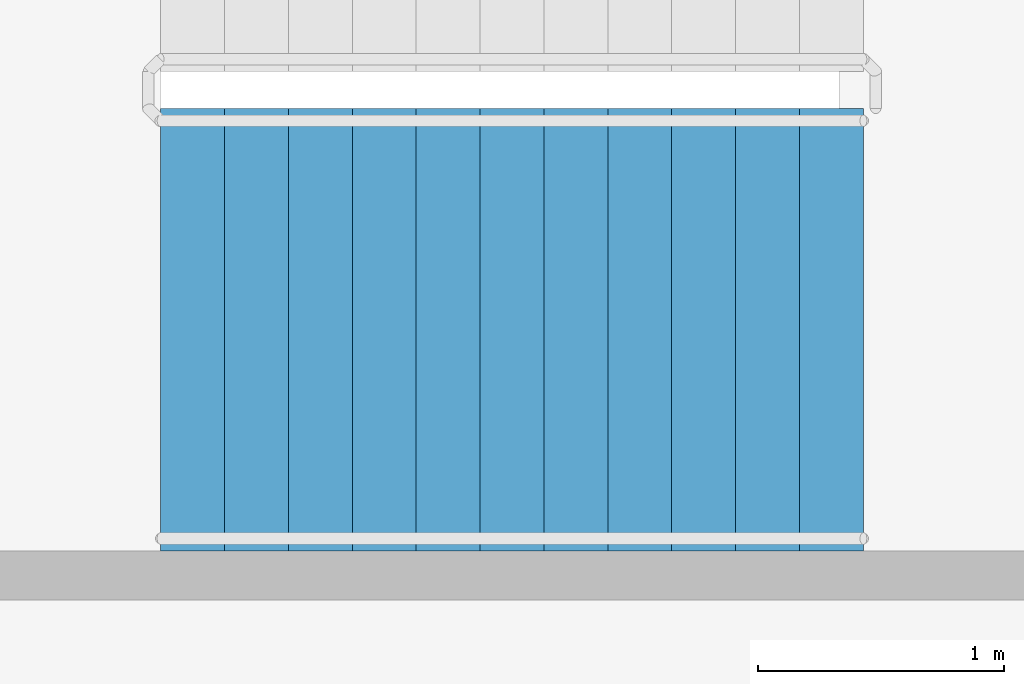
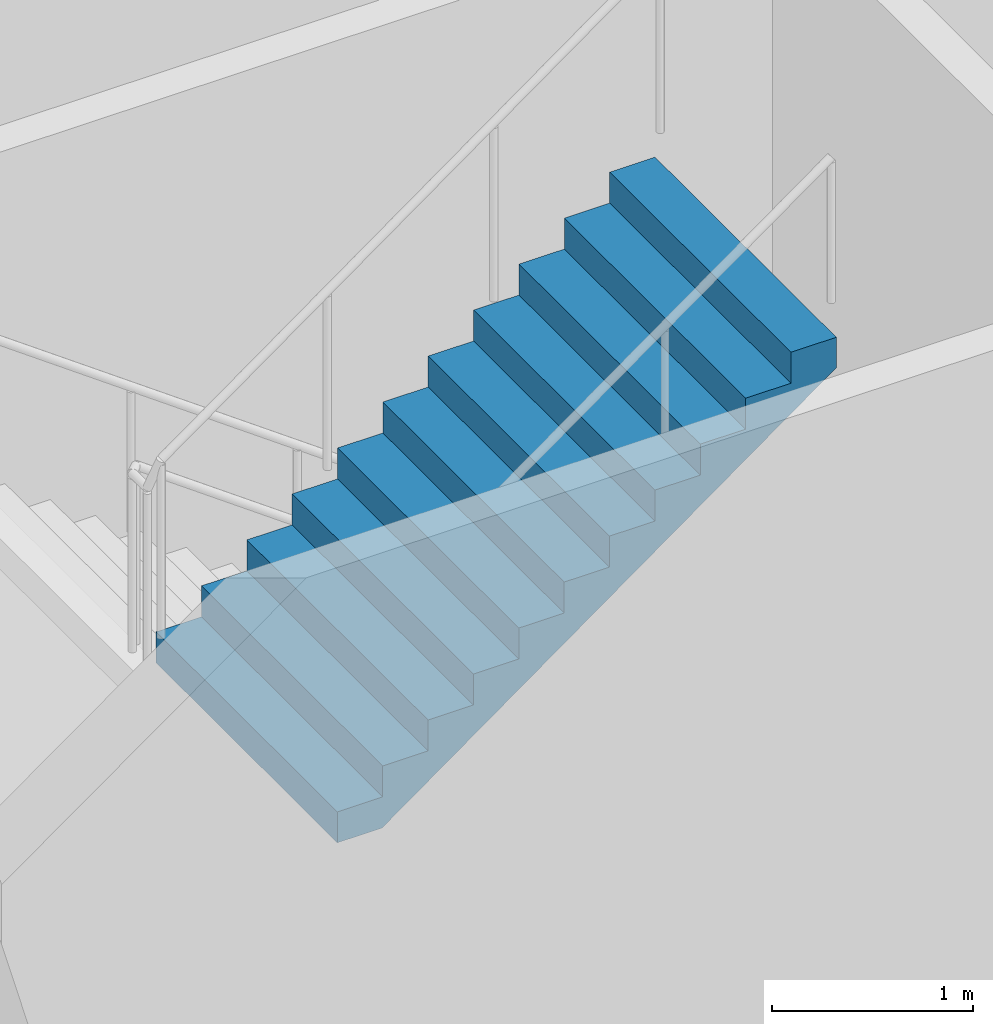
# One storey, part 44 of 51: 1 stair flight, 1 element without a shape of its own.
"""IFC4 building model written with IfcOpenShell, lengths in metres."""

from ifc_helpers import new_model, si_unit, direction, frame, origin, place, context, subcontext, project, spatial, faceted_brep, material, type_object, element, aggregate, save


model = new_model("IFC4")

# Units and contexts
model_context = context("Model", 3, precision=1e-05, world=origin(), true_north=direction((0.0, 1.0)))
body_context = subcontext(model_context, "Body", "Model", "MODEL_VIEW")
ifc_project = project(units=[si_unit("LENGTHUNIT", "METRE"), si_unit("AREAUNIT", "SQUARE_METRE"), si_unit("VOLUMEUNIT", "CUBIC_METRE"), si_unit("PLANEANGLEUNIT", "RADIAN"), si_unit("MASSUNIT", "GRAM", prefix="KILO")], contexts=[model_context])

# Site, building, storey
site_placement = place(None, origin())
site = spatial("IfcSite", under=ifc_project, at=site_placement, CompositionType="ELEMENT")
building_placement = place(site_placement, origin())
building = spatial("IfcBuilding", under=site, at=building_placement, Name="Ipe Terrace Towers", CompositionType="ELEMENT")
storey_placement = place(building_placement, frame((0.0, 0.0, 15.5)))
storey = spatial("IfcBuildingStorey", under=building, at=storey_placement, Name="L03", CompositionType="ELEMENT", Elevation=15.5)

# Stair, stair flight
ifc_material_1 = material(Name="Concrete C30/37", Category="concrete")
stair_type = type_object("IfcStairType", Name="Protected exit stair", PredefinedType="HALF_TURN_STAIR", material=ifc_material_1)
stair_placement = place(storey_placement, origin())
stair = element("IfcStair", 1, at=stair_placement, inside=storey, type_object=stair_type, Name="L03 Podium exit stair PS3", PredefinedType="HALF_TURN_STAIR")
ifc_material_2 = material(Name="Concrete C30/37", Category="concrete")
stair_flight_type = type_object("IfcStairFlightType", Name="Exit stair flight 1800", PredefinedType="STRAIGHT", material=ifc_material_2)
stair_flight_placement = place(storey_placement, frame((49.909912109375, 23.550048828125, 2.25), z_axis=(0.0, 0.0, 1.0), x_axis=(1.0, 0.0, 0.0)))
stair_flight = element("IfcStairFlight", 2, at=stair_flight_placement, type_object=stair_flight_type, Name="PS3 flight 2", NumberOfRisers=12, NumberOfTreads=11, PredefinedType="STRAIGHT", RiserHeight=0.1875, TreadLength=0.26, context=body_context, shape_type="Brep", body=[
    faceted_brep([(0.25634765625, -0.89990234375, 0.0), (2.860107421875, -0.89990234375, 1.877685546875), (2.860107421875, -0.89990234375, 2.0625), (2.60009765625, -0.89990234375, 2.0625), (2.60009765625, -0.89990234375, 1.875), (2.340087890625, -0.89990234375, 1.875), (2.340087890625, -0.89990234375, 1.6875), (2.080078125, -0.89990234375, 1.6875), (2.080078125, -0.89990234375, 1.5), (1.820068359375, -0.89990234375, 1.5), (1.820068359375, -0.89990234375, 1.3125), (1.56005859375, -0.89990234375, 1.3125), (1.56005859375, -0.89990234375, 1.125), (1.300048828125, -0.89990234375, 1.125), (1.300048828125, -0.89990234375, 0.9375), (1.0400390625, -0.89990234375, 0.9375), (1.0400390625, -0.89990234375, 0.75), (0.780029296875, -0.89990234375, 0.75), (0.780029296875, -0.89990234375, 0.5625), (0.52001953125, -0.89990234375, 0.5625), (0.52001953125, -0.89990234375, 0.375), (0.260009765625, -0.89990234375, 0.375), (0.260009765625, -0.89990234375, 0.1875), (0.0, -0.89990234375, 0.1875), (0.0, -0.89990234375, 0.0), (0.0, 0.89990234375, 0.0), (0.0, 0.89990234375, 0.1875), (0.260009765625, 0.89990234375, 0.1875), (0.260009765625, 0.89990234375, 0.375), (0.52001953125, 0.89990234375, 0.375), (0.52001953125, 0.89990234375, 0.5625), (0.780029296875, 0.89990234375, 0.5625), (0.780029296875, 0.89990234375, 0.75), (1.0400390625, 0.89990234375, 0.75), (1.0400390625, 0.89990234375, 0.9375), (1.300048828125, 0.89990234375, 0.9375), (1.300048828125, 0.89990234375, 1.125), (1.56005859375, 0.89990234375, 1.125), (1.56005859375, 0.89990234375, 1.3125), (1.820068359375, 0.89990234375, 1.3125), (1.820068359375, 0.89990234375, 1.5), (2.080078125, 0.89990234375, 1.5), (2.080078125, 0.89990234375, 1.6875), (2.340087890625, 0.89990234375, 1.6875), (2.340087890625, 0.89990234375, 1.875), (2.60009765625, 0.89990234375, 1.875), (2.60009765625, 0.89990234375, 2.0625), (2.860107421875, 0.89990234375, 2.0625), (2.860107421875, 0.89990234375, 1.877685546875), (0.25634765625, 0.89990234375, 0.0), (0.0, -0.300048828125, 0.1875), (0.0, -0.1201171875, 0.1875), (0.0, -0.06005859375, 0.1875), (0.0, -0.030029296875, 0.1875), (0.0, -0.010009765625, 0.1875), (0.0, 0.0, 0.1875), (0.0, 0.010009765625, 0.1875), (0.0, 0.030029296875, 0.1875), (0.0, 0.06005859375, 0.1875), (0.0, 0.1201171875, 0.1875), (0.0, 0.300048828125, 0.1875), (0.0, 0.300048828125, 0.0), (0.0, 0.1201171875, 0.0), (0.0, 0.06005859375, 0.0), (0.0, 0.030029296875, 0.0), (0.0, 0.010009765625, 0.0), (0.0, 0.0, 0.0), (0.0, -0.010009765625, 0.0), (0.0, -0.030029296875, 0.0), (0.0, -0.06005859375, 0.0), (0.0, -0.1201171875, 0.0), (0.0, -0.300048828125, 0.0), (0.260009765625, -0.300048828125, 0.1875), (0.260009765625, -0.1201171875, 0.1875), (0.260009765625, -0.06005859375, 0.1875), (0.260009765625, -0.030029296875, 0.1875), (0.260009765625, -0.010009765625, 0.1875), (0.260009765625, 0.0, 0.1875), (0.260009765625, 0.010009765625, 0.1875), (0.260009765625, 0.030029296875, 0.1875), (0.260009765625, 0.06005859375, 0.1875), (0.260009765625, 0.1201171875, 0.1875), (0.260009765625, 0.300048828125, 0.1875), (0.260009765625, -0.300048828125, 0.375), (0.260009765625, -0.1201171875, 0.375), (0.260009765625, -0.06005859375, 0.375), (0.260009765625, -0.030029296875, 0.375), (0.260009765625, -0.010009765625, 0.375), (0.260009765625, 0.0, 0.375), (0.260009765625, 0.010009765625, 0.375), (0.260009765625, 0.030029296875, 0.375), (0.260009765625, 0.06005859375, 0.375), (0.260009765625, 0.1201171875, 0.375), (0.260009765625, 0.300048828125, 0.375), (0.52001953125, -0.300048828125, 0.375), (0.52001953125, -0.1201171875, 0.375), (0.52001953125, -0.06005859375, 0.375), (0.52001953125, -0.030029296875, 0.375), (0.52001953125, -0.010009765625, 0.375), (0.52001953125, 0.0, 0.375), (0.52001953125, 0.010009765625, 0.375), (0.52001953125, 0.030029296875, 0.375), (0.52001953125, 0.06005859375, 0.375), (0.52001953125, 0.1201171875, 0.375), (0.52001953125, 0.300048828125, 0.375), (0.52001953125, -0.300048828125, 0.5625), (0.52001953125, -0.1201171875, 0.5625), (0.52001953125, -0.06005859375, 0.5625), (0.52001953125, -0.030029296875, 0.5625), (0.52001953125, -0.010009765625, 0.5625), (0.52001953125, 0.0, 0.5625), (0.52001953125, 0.010009765625, 0.5625), (0.52001953125, 0.030029296875, 0.5625), (0.52001953125, 0.06005859375, 0.5625), (0.52001953125, 0.1201171875, 0.5625), (0.52001953125, 0.300048828125, 0.5625), (0.780029296875, -0.300048828125, 0.5625), (0.780029296875, -0.1201171875, 0.5625), (0.780029296875, -0.06005859375, 0.5625), (0.780029296875, -0.030029296875, 0.5625), (0.780029296875, -0.010009765625, 0.5625), (0.780029296875, 0.0, 0.5625), (0.780029296875, 0.010009765625, 0.5625), (0.780029296875, 0.030029296875, 0.5625), (0.780029296875, 0.06005859375, 0.5625), (0.780029296875, 0.1201171875, 0.5625), (0.780029296875, 0.300048828125, 0.5625), (0.780029296875, -0.300048828125, 0.75), (0.780029296875, -0.1201171875, 0.75), (0.780029296875, -0.06005859375, 0.75), (0.780029296875, -0.030029296875, 0.75), (0.780029296875, -0.010009765625, 0.75), (0.780029296875, 0.0, 0.75), (0.780029296875, 0.010009765625, 0.75), (0.780029296875, 0.030029296875, 0.75), (0.780029296875, 0.06005859375, 0.75), (0.780029296875, 0.1201171875, 0.75), (0.780029296875, 0.300048828125, 0.75), (1.0400390625, -0.300048828125, 0.75), (1.0400390625, -0.1201171875, 0.75), (1.0400390625, -0.06005859375, 0.75), (1.0400390625, -0.030029296875, 0.75), (1.0400390625, -0.010009765625, 0.75), (1.0400390625, 0.0, 0.75), (1.0400390625, 0.010009765625, 0.75), (1.0400390625, 0.030029296875, 0.75), (1.0400390625, 0.06005859375, 0.75), (1.0400390625, 0.1201171875, 0.75), (1.0400390625, 0.300048828125, 0.75), (1.0400390625, -0.300048828125, 0.9375), (1.0400390625, -0.1201171875, 0.9375), (1.0400390625, -0.06005859375, 0.9375), (1.0400390625, -0.030029296875, 0.9375), (1.0400390625, -0.010009765625, 0.9375), (1.0400390625, 0.0, 0.9375), (1.0400390625, 0.010009765625, 0.9375), (1.0400390625, 0.030029296875, 0.9375), (1.0400390625, 0.06005859375, 0.9375), (1.0400390625, 0.1201171875, 0.9375), (1.0400390625, 0.300048828125, 0.9375), (1.300048828125, -0.300048828125, 0.9375), (1.300048828125, -0.1201171875, 0.9375), (1.300048828125, -0.06005859375, 0.9375), (1.300048828125, -0.030029296875, 0.9375), (1.300048828125, -0.010009765625, 0.9375), (1.300048828125, 0.0, 0.9375), (1.300048828125, 0.010009765625, 0.9375), (1.300048828125, 0.030029296875, 0.9375), (1.300048828125, 0.06005859375, 0.9375), (1.300048828125, 0.1201171875, 0.9375), (1.300048828125, 0.300048828125, 0.9375), (1.300048828125, -0.300048828125, 1.125), (1.300048828125, -0.1201171875, 1.125), (1.300048828125, -0.06005859375, 1.125), (1.300048828125, -0.030029296875, 1.125), (1.300048828125, -0.010009765625, 1.125), (1.300048828125, 0.0, 1.125), (1.300048828125, 0.010009765625, 1.125), (1.300048828125, 0.030029296875, 1.125), (1.300048828125, 0.06005859375, 1.125), (1.300048828125, 0.1201171875, 1.125), (1.300048828125, 0.300048828125, 1.125), (1.56005859375, -0.300048828125, 1.125), (1.56005859375, -0.1201171875, 1.125), (1.56005859375, -0.06005859375, 1.125), (1.56005859375, -0.030029296875, 1.125), (1.56005859375, -0.010009765625, 1.125), (1.56005859375, 0.0, 1.125), (1.56005859375, 0.010009765625, 1.125), (1.56005859375, 0.030029296875, 1.125), (1.56005859375, 0.06005859375, 1.125), (1.56005859375, 0.1201171875, 1.125), (1.56005859375, 0.300048828125, 1.125), (1.56005859375, -0.300048828125, 1.3125), (1.56005859375, -0.1201171875, 1.3125), (1.56005859375, -0.06005859375, 1.3125), (1.56005859375, -0.030029296875, 1.3125), (1.56005859375, -0.010009765625, 1.3125), (1.56005859375, 0.0, 1.3125), (1.56005859375, 0.010009765625, 1.3125), (1.56005859375, 0.030029296875, 1.3125), (1.56005859375, 0.06005859375, 1.3125), (1.56005859375, 0.1201171875, 1.3125), (1.56005859375, 0.300048828125, 1.3125), (1.820068359375, -0.300048828125, 1.3125), (1.820068359375, -0.1201171875, 1.3125), (1.820068359375, -0.06005859375, 1.3125), (1.820068359375, -0.030029296875, 1.3125), (1.820068359375, -0.010009765625, 1.3125), (1.820068359375, 0.0, 1.3125), (1.820068359375, 0.010009765625, 1.3125), (1.820068359375, 0.030029296875, 1.3125), (1.820068359375, 0.06005859375, 1.3125), (1.820068359375, 0.1201171875, 1.3125), (1.820068359375, 0.300048828125, 1.3125), (1.820068359375, -0.300048828125, 1.5), (1.820068359375, -0.1201171875, 1.5), (1.820068359375, -0.06005859375, 1.5), (1.820068359375, -0.030029296875, 1.5), (1.820068359375, -0.010009765625, 1.5), (1.820068359375, 0.0, 1.5), (1.820068359375, 0.010009765625, 1.5), (1.820068359375, 0.030029296875, 1.5), (1.820068359375, 0.06005859375, 1.5), (1.820068359375, 0.1201171875, 1.5), (1.820068359375, 0.300048828125, 1.5), (2.080078125, -0.300048828125, 1.5), (2.080078125, -0.1201171875, 1.5), (2.080078125, -0.06005859375, 1.5), (2.080078125, -0.030029296875, 1.5), (2.080078125, -0.010009765625, 1.5), (2.080078125, 0.0, 1.5), (2.080078125, 0.010009765625, 1.5), (2.080078125, 0.030029296875, 1.5), (2.080078125, 0.06005859375, 1.5), (2.080078125, 0.1201171875, 1.5), (2.080078125, 0.300048828125, 1.5), (2.080078125, -0.300048828125, 1.6875), (2.080078125, -0.1201171875, 1.6875), (2.080078125, -0.06005859375, 1.6875), (2.080078125, -0.030029296875, 1.6875), (2.080078125, -0.010009765625, 1.6875), (2.080078125, 0.0, 1.6875), (2.080078125, 0.010009765625, 1.6875), (2.080078125, 0.030029296875, 1.6875), (2.080078125, 0.06005859375, 1.6875), (2.080078125, 0.1201171875, 1.6875), (2.080078125, 0.300048828125, 1.6875), (2.340087890625, -0.300048828125, 1.6875), (2.340087890625, -0.1201171875, 1.6875), (2.340087890625, -0.06005859375, 1.6875), (2.340087890625, -0.030029296875, 1.6875), (2.340087890625, -0.010009765625, 1.6875), (2.340087890625, 0.0, 1.6875), (2.340087890625, 0.010009765625, 1.6875), (2.340087890625, 0.030029296875, 1.6875), (2.340087890625, 0.06005859375, 1.6875), (2.340087890625, 0.1201171875, 1.6875), (2.340087890625, 0.300048828125, 1.6875), (2.340087890625, -0.300048828125, 1.875), (2.340087890625, -0.1201171875, 1.875), (2.340087890625, -0.06005859375, 1.875), (2.340087890625, -0.030029296875, 1.875), (2.340087890625, -0.010009765625, 1.875), (2.340087890625, 0.0, 1.875), (2.340087890625, 0.010009765625, 1.875), (2.340087890625, 0.030029296875, 1.875), (2.340087890625, 0.06005859375, 1.875), (2.340087890625, 0.1201171875, 1.875), (2.340087890625, 0.300048828125, 1.875), (2.60009765625, -0.300048828125, 1.875), (2.60009765625, -0.1201171875, 1.875), (2.60009765625, -0.06005859375, 1.875), (2.60009765625, -0.030029296875, 1.875), (2.60009765625, -0.010009765625, 1.875), (2.60009765625, 0.0, 1.875), (2.60009765625, 0.010009765625, 1.875), (2.60009765625, 0.030029296875, 1.875), (2.60009765625, 0.06005859375, 1.875), (2.60009765625, 0.1201171875, 1.875), (2.60009765625, 0.300048828125, 1.875), (2.60009765625, -0.300048828125, 2.0625), (2.60009765625, -0.1201171875, 2.0625), (2.60009765625, -0.06005859375, 2.0625), (2.60009765625, -0.030029296875, 2.0625), (2.60009765625, -0.010009765625, 2.0625), (2.60009765625, 0.0, 2.0625), (2.60009765625, 0.010009765625, 2.0625), (2.60009765625, 0.030029296875, 2.0625), (2.60009765625, 0.06005859375, 2.0625), (2.60009765625, 0.1201171875, 2.0625), (2.60009765625, 0.300048828125, 2.0625), (2.860107421875, -0.300048828125, 2.0625), (2.860107421875, -0.1201171875, 2.0625), (2.860107421875, -0.06005859375, 2.0625), (2.860107421875, -0.030029296875, 2.0625), (2.860107421875, -0.010009765625, 2.0625), (2.860107421875, 0.0, 2.0625), (2.860107421875, 0.010009765625, 2.0625), (2.860107421875, 0.030029296875, 2.0625), (2.860107421875, 0.06005859375, 2.0625), (2.860107421875, 0.1201171875, 2.0625), (2.860107421875, 0.300048828125, 2.0625), (2.860107421875, -0.300048828125, 1.877685546875), (2.860107421875, -0.1201171875, 1.877685546875), (2.860107421875, -0.06005859375, 1.877685546875), (2.860107421875, -0.030029296875, 1.877685546875), (2.860107421875, -0.010009765625, 1.877685546875), (2.860107421875, 0.0, 1.877685546875), (2.860107421875, 0.010009765625, 1.877685546875), (2.860107421875, 0.030029296875, 1.877685546875), (2.860107421875, 0.06005859375, 1.877685546875), (2.860107421875, 0.1201171875, 1.877685546875), (2.860107421875, 0.300048828125, 1.877685546875), (0.25634765625, -0.300048828125, 0.0), (0.25634765625, -0.1201171875, 0.0), (0.25634765625, -0.06005859375, 0.0), (0.25634765625, -0.030029296875, 0.0), (0.25634765625, -0.010009765625, 0.0), (0.25634765625, 0.0, 0.0), (0.25634765625, 0.010009765625, 0.0), (0.25634765625, 0.030029296875, 0.0), (0.25634765625, 0.06005859375, 0.0), (0.25634765625, 0.1201171875, 0.0), (0.25634765625, 0.300048828125, 0.0)], [[[0, 1, 2, 3, 4, 5, 6, 7, 8, 9, 10, 11, 12, 13, 14, 15, 16, 17, 18, 19, 20, 21, 22, 23, 24]], [[25, 26, 27, 28, 29, 30, 31, 32, 33, 34, 35, 36, 37, 38, 39, 40, 41, 42, 43, 44, 45, 46, 47, 48, 49]], [[23, 50, 51, 52, 53, 54, 55, 56, 57, 58, 59, 60, 26, 25, 61, 62, 63, 64, 65, 66, 67, 68, 69, 70, 71, 24]], [[22, 72, 73, 74, 75, 76, 77, 78, 79, 80, 81, 82, 27, 26, 60, 59, 58, 57, 56, 55, 54, 53, 52, 51, 50, 23]], [[21, 83, 84, 85, 86, 87, 88, 89, 90, 91, 92, 93, 28, 27, 82, 81, 80, 79, 78, 77, 76, 75, 74, 73, 72, 22]], [[20, 94, 95, 96, 97, 98, 99, 100, 101, 102, 103, 104, 29, 28, 93, 92, 91, 90, 89, 88, 87, 86, 85, 84, 83, 21]], [[19, 105, 106, 107, 108, 109, 110, 111, 112, 113, 114, 115, 30, 29, 104, 103, 102, 101, 100, 99, 98, 97, 96, 95, 94, 20]], [[18, 116, 117, 118, 119, 120, 121, 122, 123, 124, 125, 126, 31, 30, 115, 114, 113, 112, 111, 110, 109, 108, 107, 106, 105, 19]], [[17, 127, 128, 129, 130, 131, 132, 133, 134, 135, 136, 137, 32, 31, 126, 125, 124, 123, 122, 121, 120, 119, 118, 117, 116, 18]], [[16, 138, 139, 140, 141, 142, 143, 144, 145, 146, 147, 148, 33, 32, 137, 136, 135, 134, 133, 132, 131, 130, 129, 128, 127, 17]], [[15, 149, 150, 151, 152, 153, 154, 155, 156, 157, 158, 159, 34, 33, 148, 147, 146, 145, 144, 143, 142, 141, 140, 139, 138, 16]], [[14, 160, 161, 162, 163, 164, 165, 166, 167, 168, 169, 170, 35, 34, 159, 158, 157, 156, 155, 154, 153, 152, 151, 150, 149, 15]], [[13, 171, 172, 173, 174, 175, 176, 177, 178, 179, 180, 181, 36, 35, 170, 169, 168, 167, 166, 165, 164, 163, 162, 161, 160, 14]], [[12, 182, 183, 184, 185, 186, 187, 188, 189, 190, 191, 192, 37, 36, 181, 180, 179, 178, 177, 176, 175, 174, 173, 172, 171, 13]], [[11, 193, 194, 195, 196, 197, 198, 199, 200, 201, 202, 203, 38, 37, 192, 191, 190, 189, 188, 187, 186, 185, 184, 183, 182, 12]], [[10, 204, 205, 206, 207, 208, 209, 210, 211, 212, 213, 214, 39, 38, 203, 202, 201, 200, 199, 198, 197, 196, 195, 194, 193, 11]], [[9, 215, 216, 217, 218, 219, 220, 221, 222, 223, 224, 225, 40, 39, 214, 213, 212, 211, 210, 209, 208, 207, 206, 205, 204, 10]], [[8, 226, 227, 228, 229, 230, 231, 232, 233, 234, 235, 236, 41, 40, 225, 224, 223, 222, 221, 220, 219, 218, 217, 216, 215, 9]], [[7, 237, 238, 239, 240, 241, 242, 243, 244, 245, 246, 247, 42, 41, 236, 235, 234, 233, 232, 231, 230, 229, 228, 227, 226, 8]], [[6, 248, 249, 250, 251, 252, 253, 254, 255, 256, 257, 258, 43, 42, 247, 246, 245, 244, 243, 242, 241, 240, 239, 238, 237, 7]], [[5, 259, 260, 261, 262, 263, 264, 265, 266, 267, 268, 269, 44, 43, 258, 257, 256, 255, 254, 253, 252, 251, 250, 249, 248, 6]], [[4, 270, 271, 272, 273, 274, 275, 276, 277, 278, 279, 280, 45, 44, 269, 268, 267, 266, 265, 264, 263, 262, 261, 260, 259, 5]], [[3, 281, 282, 283, 284, 285, 286, 287, 288, 289, 290, 291, 46, 45, 280, 279, 278, 277, 276, 275, 274, 273, 272, 271, 270, 4]], [[2, 292, 293, 294, 295, 296, 297, 298, 299, 300, 301, 302, 47, 46, 291, 290, 289, 288, 287, 286, 285, 284, 283, 282, 281, 3]], [[1, 303, 304, 305, 306, 307, 308, 309, 310, 311, 312, 313, 48, 47, 302, 301, 300, 299, 298, 297, 296, 295, 294, 293, 292, 2]], [[0, 314, 315, 316, 317, 318, 319, 320, 321, 322, 323, 324, 49, 48, 313, 312, 311, 310, 309, 308, 307, 306, 305, 304, 303, 1]], [[24, 71, 70, 69, 68, 67, 66, 65, 64, 63, 62, 61, 25, 49, 324, 323, 322, 321, 320, 319, 318, 317, 316, 315, 314, 0]]]),
])
aggregate(stair, [stair_flight])

save(model, "model.ifc")
